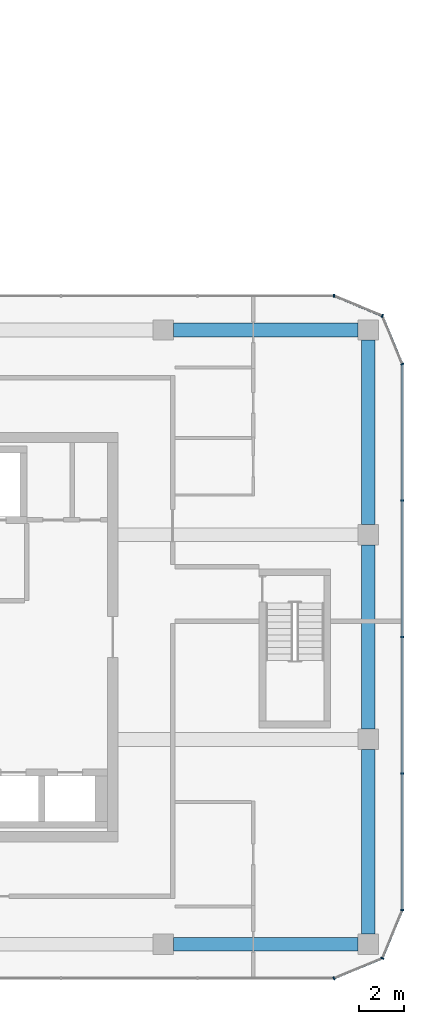
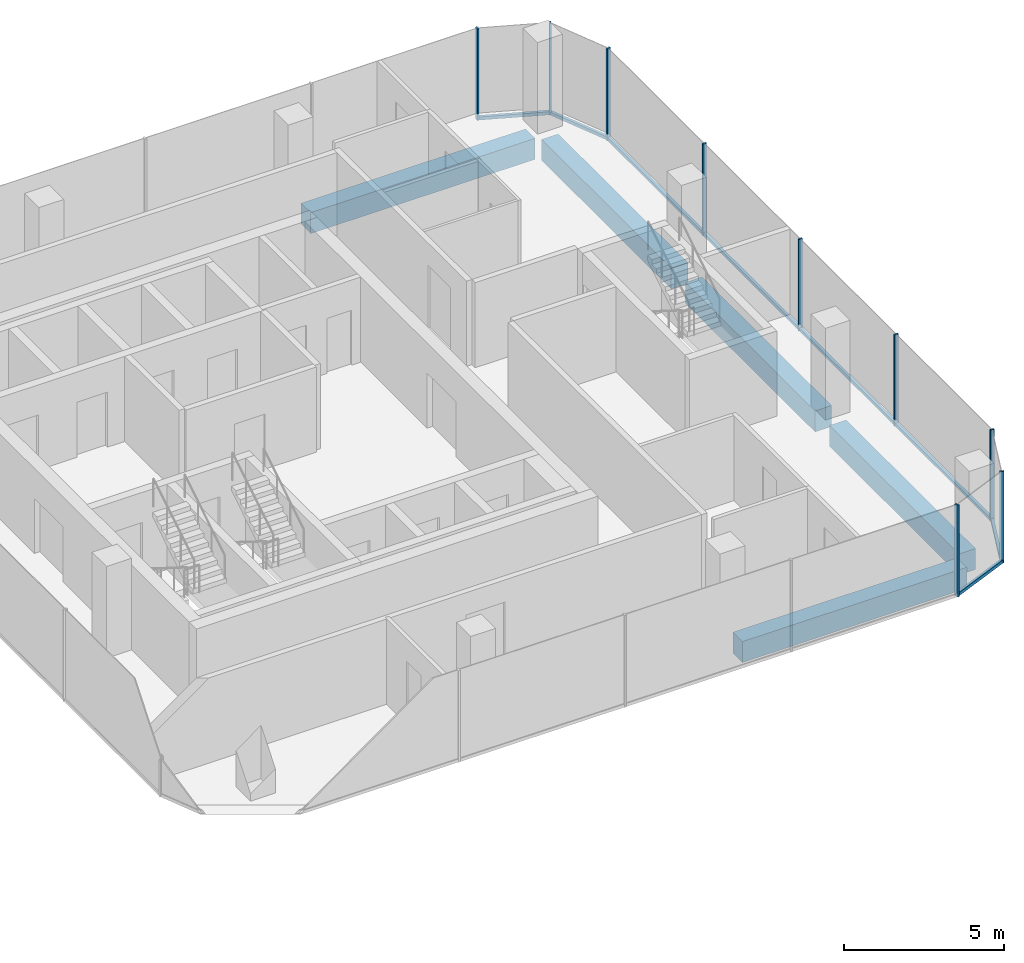
# One storey, part 10 of 22: 14 members, 5 beams, 6 elements without a shape of their own.
"""IFC4 building model written with IfcOpenShell, lengths in metres."""

from ifc_helpers import new_model, si_unit, direction, frame, origin, origin_2d, place, context, subcontext, project, spatial, rectangle, extrude, material, layer, layer_set, material_profile, profile_set, type_object, element, aggregate, save


model = new_model("IFC4")

# Units and contexts
model_context = context("Model", 3, precision=1e-05, world=origin(), true_north=direction((0.0, 1.0)))
body_context = subcontext(model_context, "Body", "Model", "MODEL_VIEW")
ifc_project = project(units=[si_unit("LENGTHUNIT", "METRE"), si_unit("AREAUNIT", "SQUARE_METRE"), si_unit("VOLUMEUNIT", "CUBIC_METRE"), si_unit("PLANEANGLEUNIT", "RADIAN"), si_unit("MASSUNIT", "GRAM", prefix="KILO")], contexts=[model_context])

# Site, building, storey
site_placement = place(None, origin())
site = spatial("IfcSite", under=ifc_project, at=site_placement, CompositionType="ELEMENT")
building_placement = place(site_placement, origin())
building = spatial("IfcBuilding", under=site, at=building_placement, Name="Plateau Cross Towers", CompositionType="ELEMENT")
storey_placement = place(building_placement, frame((0.0, 0.0, 65.300048828125)))
storey = spatial("IfcBuildingStorey", under=building, at=storey_placement, Name="L16", CompositionType="ELEMENT", Elevation=65.300048828125)

# Curtain wall, member
ifc_material_1 = material(Name="Dark low-iron glass", Category="glass")
ifc_layer = layer(ifc_material_1, 0.239990234375)
ifc_layer_set = layer_set([ifc_layer], Name="Dark low-iron glass")
curtain_wall_type = type_object("IfcCurtainWallType", Name="Curtain wall office unitised CW-F", PredefinedType="NOTDEFINED", material=ifc_layer_set)
curtain_wall_1_placement = place(storey_placement, origin())
curtain_wall_1 = element("IfcCurtainWall", 1, at=curtain_wall_1_placement, inside=storey, type_object=curtain_wall_type, Name="ENV/B/L16/B990_-60", PredefinedType="NOTDEFINED")
ifc_material_2 = material(Name="Black anodised aluminium", Category="aluminium")
ifc_material_profile_1 = material_profile(ifc_material_2, rectangle(XDim=0.06005859375, YDim=0.139892578125, at=origin_2d()), Name="MULLION 60x140")
ifc_profile_set_1 = profile_set([ifc_material_profile_1], Name="Black anodised aluminium")
member_type_1 = type_object("IfcMemberType", Name="Mullion 60x140 office unitised", PredefinedType="MULLION", material=ifc_profile_set_1)
member_1_placement = place(storey_placement, frame((99.0, -6.0, -0.25), z_axis=(0.0, 0.0, 1.0), x_axis=(0.923879457699, 0.382683612978, 0.0)))
member_1 = element("IfcMember", 2, at=member_1_placement, type_object=member_type_1, Name="CW-F mullion 1", PredefinedType="MULLION", context=body_context, shape_type="SweptSolid", body=[
    extrude(rectangle(XDim=0.06005859375, YDim=0.139892578125, at=origin_2d()), origin(), (0.0, 0.0, 1.0), 3.5),
])

curtain_wall_2_placement = place(storey_placement, origin())
curtain_wall_2 = element("IfcCurtainWall", 3, at=curtain_wall_2_placement, inside=storey, type_object=curtain_wall_type, Name="ENV/B/L16/B1011_-51", PredefinedType="NOTDEFINED")
member_2_placement = place(storey_placement, frame((101.121337890625, -5.121337890625, -0.25), z_axis=(0.0, 0.0, 1.0), x_axis=(0.382683612978, 0.923879457699, 0.0)))
member_2 = element("IfcMember", 4, at=member_2_placement, type_object=member_type_1, Name="CW-F mullion 1", PredefinedType="MULLION", context=body_context, shape_type="SweptSolid", body=[
    extrude(rectangle(XDim=0.06005859375, YDim=0.139892578125, at=origin_2d()), origin(), (0.0, 0.0, 1.0), 3.5),
])

# Curtain wall, members
curtain_wall_3_placement = place(storey_placement, origin())
curtain_wall_3 = element("IfcCurtainWall", 5, at=curtain_wall_3_placement, inside=storey, type_object=curtain_wall_type, Name="ENV/B/L16/B1020_-30", PredefinedType="NOTDEFINED")
member_3_placement = place(storey_placement, frame((102.0, -3.0, -0.25), z_axis=(0.0, 0.0, 1.0), x_axis=(0.0, 1.0, 0.0)))
member_3 = element("IfcMember", 6, at=member_3_placement, type_object=member_type_1, Name="CW-F mullion 1", PredefinedType="MULLION", context=body_context, shape_type="SweptSolid", body=[
    extrude(rectangle(XDim=0.06005859375, YDim=0.139892578125, at=origin_2d()), origin(), (0.0, 0.0, 1.0), 3.5),
])
member_4_placement = place(storey_placement, frame((102.0, 3.0, -0.25), z_axis=(0.0, 0.0, 1.0), x_axis=(0.0, 1.0, 0.0)))
member_4 = element("IfcMember", 7, at=member_4_placement, type_object=member_type_1, Name="CW-F mullion 2", PredefinedType="MULLION", context=body_context, shape_type="SweptSolid", body=[
    extrude(rectangle(XDim=0.06005859375, YDim=0.139892578125, at=origin_2d()), origin(), (0.0, 0.0, 1.0), 3.5),
])
member_5_placement = place(storey_placement, frame((102.0, 9.0, -0.25), z_axis=(0.0, 0.0, 1.0), x_axis=(0.0, 1.0, 0.0)))
member_5 = element("IfcMember", 8, at=member_5_placement, type_object=member_type_1, Name="CW-F mullion 3", PredefinedType="MULLION", context=body_context, shape_type="SweptSolid", body=[
    extrude(rectangle(XDim=0.06005859375, YDim=0.139892578125, at=origin_2d()), origin(), (0.0, 0.0, 1.0), 3.5),
])
member_6_placement = place(storey_placement, frame((102.0, 15.0, -0.25), z_axis=(0.0, 0.0, 1.0), x_axis=(0.0, 1.0, 0.0)))
member_6 = element("IfcMember", 9, at=member_6_placement, type_object=member_type_1, Name="CW-F mullion 4", PredefinedType="MULLION", context=body_context, shape_type="SweptSolid", body=[
    extrude(rectangle(XDim=0.06005859375, YDim=0.139892578125, at=origin_2d()), origin(), (0.0, 0.0, 1.0), 3.5),
])

# Curtain wall, member
curtain_wall_4_placement = place(storey_placement, origin())
curtain_wall_4 = element("IfcCurtainWall", 10, at=curtain_wall_4_placement, inside=storey, type_object=curtain_wall_type, Name="ENV/B/L16/B1020_210", PredefinedType="NOTDEFINED")
member_7_placement = place(storey_placement, frame((102.0, 21.0, -0.25), z_axis=(0.0, 0.0, 1.0), x_axis=(-0.382683612978, 0.923879457699, 0.0)))
member_7 = element("IfcMember", 11, at=member_7_placement, type_object=member_type_1, Name="CW-F mullion 1", PredefinedType="MULLION", context=body_context, shape_type="SweptSolid", body=[
    extrude(rectangle(XDim=0.06005859375, YDim=0.139892578125, at=origin_2d()), origin(), (0.0, 0.0, 1.0), 3.5),
])

curtain_wall_5_placement = place(storey_placement, origin())
curtain_wall_5 = element("IfcCurtainWall", 12, at=curtain_wall_5_placement, inside=storey, type_object=curtain_wall_type, Name="ENV/B/L16/B1011_231", PredefinedType="NOTDEFINED")
member_8_placement = place(storey_placement, frame((101.121337890625, 23.121337890625, -0.25), z_axis=(0.0, 0.0, 1.0), x_axis=(-0.923879457699, 0.382683612978, 0.0)))
member_8 = element("IfcMember", 13, at=member_8_placement, type_object=member_type_1, Name="CW-F mullion 1", PredefinedType="MULLION", context=body_context, shape_type="SweptSolid", body=[
    extrude(rectangle(XDim=0.06005859375, YDim=0.139892578125, at=origin_2d()), origin(), (0.0, 0.0, 1.0), 3.5),
])

curtain_wall_6_placement = place(storey_placement, origin())
curtain_wall_6 = element("IfcCurtainWall", 14, at=curtain_wall_6_placement, inside=storey, type_object=curtain_wall_type, Name="ENV/B/L16/B990_240", PredefinedType="NOTDEFINED")
member_9_placement = place(storey_placement, frame((99.0, 24.0, -0.25), z_axis=(0.0, 0.0, 1.0), x_axis=(-1.0, 0.0, 0.0)))
member_9 = element("IfcMember", 15, at=member_9_placement, type_object=member_type_1, Name="CW-F mullion 1", PredefinedType="MULLION", context=body_context, shape_type="SweptSolid", body=[
    extrude(rectangle(XDim=0.06005859375, YDim=0.139892578125, at=origin_2d()), origin(), (0.0, 0.0, 1.0), 3.5),
])
aggregate(curtain_wall_6, [member_9])

# Beams
ifc_material_3 = material(Name="Concrete C60/75", Category="concrete")
ifc_material_profile_2 = material_profile(ifc_material_3, rectangle(XDim=0.60009765625, YDim=0.800048828125, at=origin_2d()), Name="RC 600x800")
ifc_profile_set_2 = profile_set([ifc_material_profile_2], Name="Concrete C60/75")
beam_type = type_object("IfcBeamType", Name="Ring beam RC 600x800", PredefinedType="BEAM", material=ifc_profile_set_2)
for number, where, z_axis, x_axis, name in (
    (16, (91.949951171875, -4.5, -0.650146484375), (1.0, 0.0, 0.0), (0.0, 1.0, 0.0), "B-RB02@L16"),
    (17, (100.5, -4.050048828125, -0.650146484375), (0.0, 1.0, 0.0), (-1.0, 0.0, 0.0), "B-RB03@L16"),
    (18, (100.5, 4.949951171875, -0.650146484375), (0.0, 1.0, 0.0), (-1.0, 0.0, 0.0), "B-RB04@L16"),
    (19, (100.5, 13.949951171875, -0.650146484375), (0.0, 1.0, 0.0), (-1.0, 0.0, 0.0), "B-RB05@L16"),
    (20, (100.050048828125, 22.5, -0.650146484375), (-1.0, 0.0, 0.0), (0.0, -1.0, 0.0), "B-RB06@L16"),
):
    element("IfcBeam", number, at=place(storey_placement, frame(where, z_axis=z_axis, x_axis=x_axis)), inside=storey, type_object=beam_type, Name=name, PredefinedType="BEAM", context=body_context, shape_type="SweptSolid", body=[
        extrude(rectangle(XDim=0.60009765625, YDim=0.800048828125, at=origin_2d()), origin(), (0.0, 0.0, 1.0), 8.10009765625),
    ])

# Member
ifc_material_profile_3 = material_profile(ifc_material_2, rectangle(XDim=0.10009765625, YDim=0.1201171875, at=origin_2d()), Name="TRANSOM 100x120")
ifc_profile_set_3 = profile_set([ifc_material_profile_3], Name="Black anodised aluminium")
member_type_2 = type_object("IfcMemberType", Name="Transom 100x120 office unitised", PredefinedType="USERDEFINED", material=ifc_profile_set_3)
member_10_placement = place(storey_placement, frame((99.0, -6.0, -0.18994140625), z_axis=(0.923883353507, 0.382674207535, 0.0), x_axis=(-0.382674207535, 0.923883353507, 0.0)))
member_10 = element("IfcMember", 21, at=member_10_placement, type_object=member_type_2, Name="CW-F transom", ObjectType="TRANSOM", PredefinedType="USERDEFINED", context=body_context, shape_type="SweptSolid", body=[
    extrude(rectangle(XDim=0.10009765625, YDim=0.1201171875, at=origin_2d()), origin(), (0.0, 0.0, 1.0), 2.296142578125),
])

aggregate(curtain_wall_1, [member_1, member_10])

member_11_placement = place(storey_placement, frame((101.121337890625, -5.121337890625, -0.18994140625), z_axis=(0.382674207535, 0.923883353507, 0.0), x_axis=(-0.923883353507, 0.382674207535, 0.0)))
member_11 = element("IfcMember", 22, at=member_11_placement, type_object=member_type_2, Name="CW-F transom", ObjectType="TRANSOM", PredefinedType="USERDEFINED", context=body_context, shape_type="SweptSolid", body=[
    extrude(rectangle(XDim=0.10009765625, YDim=0.1201171875, at=origin_2d()), origin(), (0.0, 0.0, 1.0), 2.296142578125),
])

aggregate(curtain_wall_2, [member_2, member_11])

member_12_placement = place(storey_placement, frame((102.0, -3.0, -0.18994140625), z_axis=(0.0, 1.0, 0.0), x_axis=(-1.0, 0.0, 0.0)))
member_12 = element("IfcMember", 23, at=member_12_placement, type_object=member_type_2, Name="CW-F transom", ObjectType="TRANSOM", PredefinedType="USERDEFINED", context=body_context, shape_type="SweptSolid", body=[
    extrude(rectangle(XDim=0.10009765625, YDim=0.1201171875, at=origin_2d()), origin(), (0.0, 0.0, 1.0), 24.0),
])

aggregate(curtain_wall_3, [member_3, member_4, member_5, member_6, member_12])

member_13_placement = place(storey_placement, frame((102.0, 21.0, -0.18994140625), z_axis=(-0.382674207535, 0.923883353507, 0.0), x_axis=(-0.923883353507, -0.382674207535, 0.0)))
member_13 = element("IfcMember", 24, at=member_13_placement, type_object=member_type_2, Name="CW-F transom", ObjectType="TRANSOM", PredefinedType="USERDEFINED", context=body_context, shape_type="SweptSolid", body=[
    extrude(rectangle(XDim=0.10009765625, YDim=0.1201171875, at=origin_2d()), origin(), (0.0, 0.0, 1.0), 2.296142578125),
])

aggregate(curtain_wall_4, [member_7, member_13])

member_14_placement = place(storey_placement, frame((101.121337890625, 23.121337890625, -0.18994140625), z_axis=(-0.923883353507, 0.382674207535, 0.0), x_axis=(-0.382674207535, -0.923883353507, 0.0)))
member_14 = element("IfcMember", 25, at=member_14_placement, type_object=member_type_2, Name="CW-F transom", ObjectType="TRANSOM", PredefinedType="USERDEFINED", context=body_context, shape_type="SweptSolid", body=[
    extrude(rectangle(XDim=0.10009765625, YDim=0.1201171875, at=origin_2d()), origin(), (0.0, 0.0, 1.0), 2.296142578125),
])

aggregate(curtain_wall_5, [member_8, member_14])

save(model, "model.ifc")
